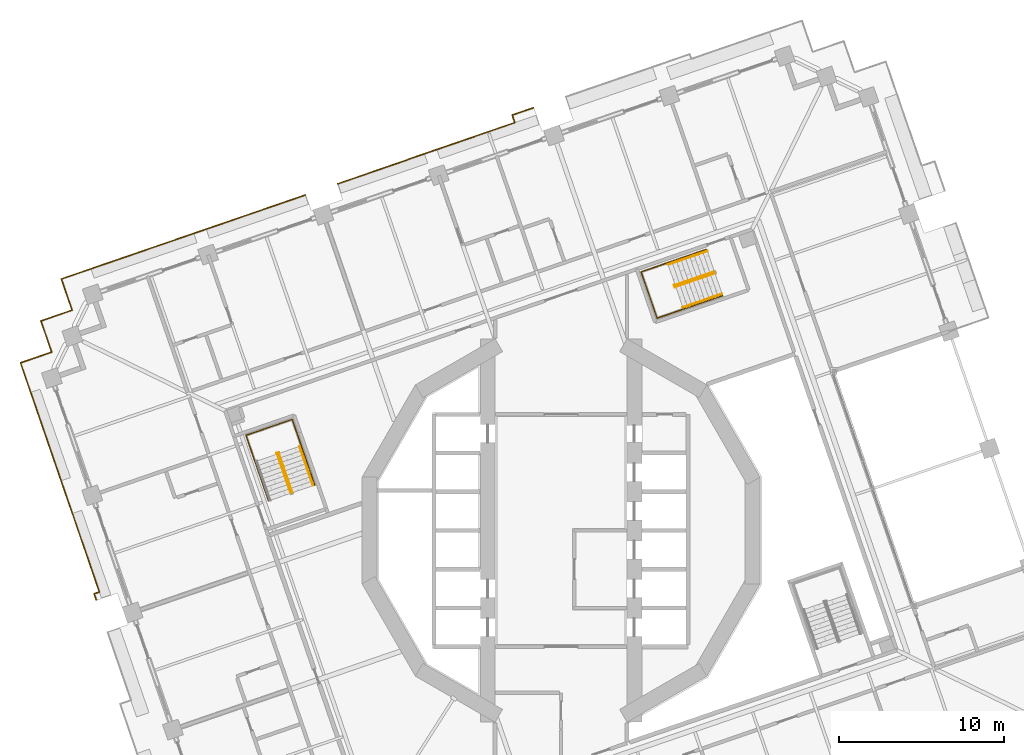
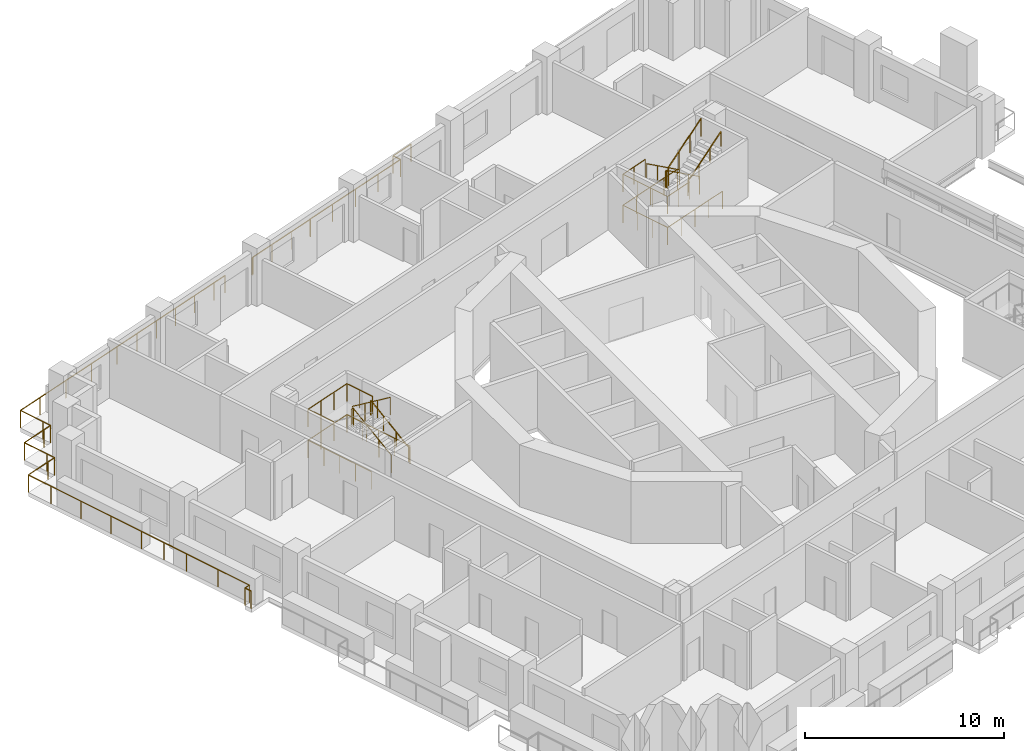
# One storey, part 20 of 22: 14 railings.
"""IFC4 building model written with IfcOpenShell, lengths in metres."""

from ifc_helpers import new_model, si_unit, direction, frame, origin, origin_2d, place, context, subcontext, project, spatial, circle, extrude, material, type_object, element, save


model = new_model("IFC4")

# Units and contexts
model_context = context("Model", 3, precision=1e-05, world=origin(), true_north=direction((0.0, 1.0)))
body_context = subcontext(model_context, "Body", "Model", "MODEL_VIEW")
ifc_project = project(units=[si_unit("LENGTHUNIT", "METRE"), si_unit("AREAUNIT", "SQUARE_METRE"), si_unit("VOLUMEUNIT", "CUBIC_METRE"), si_unit("PLANEANGLEUNIT", "RADIAN"), si_unit("MASSUNIT", "GRAM", prefix="KILO")], contexts=[model_context])

# Site, building, storey
site_placement = place(None, origin())
site = spatial("IfcSite", under=ifc_project, at=site_placement, CompositionType="ELEMENT")
building_placement = place(site_placement, origin())
building = spatial("IfcBuilding", under=site, at=building_placement, Name="Cantera Rosa Tower", CompositionType="ELEMENT")
storey_placement = place(building_placement, frame((0.0, 0.0, 115.5)))
storey = spatial("IfcBuildingStorey", under=building, at=storey_placement, Name="L23", CompositionType="ELEMENT", Elevation=115.5)

# Railings
ifc_material_1 = material(Name="Stainless steel and laminated glass", Category="steel")
railing_type_1 = type_object("IfcRailingType", Name="GUARD 1100", PredefinedType="BALUSTRADE", material=ifc_material_1)
railing_1_placement = place(storey_placement, frame((-29.6689453125, 13.369140625, 0.0)))
element("IfcRailing", 1, at=railing_1_placement, inside=storey, type_object=railing_type_1, Name="GUARD L23-5", PredefinedType="BALUSTRADE", context=body_context, shape_type="SweptSolid", body=[
    extrude(circle(Radius=0.030029296875, at=origin_2d()), frame((0.0, 0.0, 1.070068359375), z_axis=(-0.32573481536, 0.945461173218, 0.0), x_axis=(-0.945461173218, -0.32573481536, 0.0)), (0.0, 0.0, 1.0), 0.5),
    extrude(circle(Radius=0.030029296875, at=origin_2d()), frame((-0.162841796875, 0.47265625, 1.070068359375), z_axis=(-0.325489086777, 0.945545797087, 0.0), x_axis=(-0.945545797087, -0.325489086777, 0.0)), (0.0, 0.0, 1.0), 1.500244140625),
    extrude(circle(Radius=0.030029296875, at=origin_2d()), frame((-0.651123046875, 1.89111328125, 1.070068359375), z_axis=(0.945528551438, 0.325539181077, 0.0), x_axis=(-0.325539181077, 0.945528551438, 0.0)), (0.0, 0.0, 1.0), 1.5),
    extrude(circle(Radius=0.030029296875, at=origin_2d()), frame((0.76708984375, 2.37939453125, 1.070068359375), z_axis=(0.945517123015, 0.325572373037, 0.0), x_axis=(-0.325572373037, 0.945517123015, 0.0)), (0.0, 0.0, 1.0), 5.900146484375),
    extrude(circle(Radius=0.030029296875, at=origin_2d()), frame((6.345703125, 4.30029296875, 1.070068359375), z_axis=(0.945528551438, 0.325539181077, 0.0), x_axis=(-0.325539181077, 0.945528551438, 0.0)), (0.0, 0.0, 1.0), 2.999755859375),
    extrude(circle(Radius=0.030029296875, at=origin_2d()), frame((9.18212890625, 5.27685546875, 1.070068359375), z_axis=(0.945513227049, 0.325583687361, 0.0), x_axis=(-0.325583687361, 0.945513227049, 0.0)), (0.0, 0.0, 1.0), 4.400146484375),
    extrude(circle(Radius=0.030029296875, at=origin_2d()), frame((13.342529296875, 6.70947265625, 1.070068359375), z_axis=(0.945522007901, 0.325558186158, 0.0), x_axis=(-0.325558186158, 0.945522007901, 0.0)), (0.0, 0.0, 1.0), 0.869873046875),
    extrude(circle(Radius=0.02490234375, at=origin_2d()), origin(), (0.0, 0.0, 1.0), 1.0400390625),
    extrude(circle(Radius=0.02490234375, at=origin_2d()), frame((-0.162841796875, 0.47265625, 0.0)), (0.0, 0.0, 1.0), 1.0400390625),
    extrude(circle(Radius=0.02490234375, at=origin_2d()), frame((-0.651123046875, 1.89111328125, 0.0)), (0.0, 0.0, 1.0), 1.0400390625),
    extrude(circle(Radius=0.02490234375, at=origin_2d()), frame((0.76708984375, 2.37939453125, 0.0)), (0.0, 0.0, 1.0), 1.0400390625),
    extrude(circle(Radius=0.02490234375, at=origin_2d()), frame((2.626708984375, 3.019775390625, 0.0)), (0.0, 0.0, 1.0), 1.0400390625),
    extrude(circle(Radius=0.02490234375, at=origin_2d()), frame((4.486083984375, 3.659912109375, 0.0)), (0.0, 0.0, 1.0), 1.0400390625),
    extrude(circle(Radius=0.02490234375, at=origin_2d()), frame((6.345703125, 4.30029296875, 0.0)), (0.0, 0.0, 1.0), 1.0400390625),
    extrude(circle(Radius=0.02490234375, at=origin_2d()), frame((7.763916015625, 4.78857421875, 0.0)), (0.0, 0.0, 1.0), 1.0400390625),
    extrude(circle(Radius=0.02490234375, at=origin_2d()), frame((9.18212890625, 5.27685546875, 0.0)), (0.0, 0.0, 1.0), 1.0400390625),
    extrude(circle(Radius=0.02490234375, at=origin_2d()), frame((10.56884765625, 5.75439453125, 0.0)), (0.0, 0.0, 1.0), 1.0400390625),
    extrude(circle(Radius=0.02490234375, at=origin_2d()), frame((11.955810546875, 6.23193359375, 0.0)), (0.0, 0.0, 1.0), 1.0400390625),
    extrude(circle(Radius=0.02490234375, at=origin_2d()), frame((13.342529296875, 6.70947265625, 0.0)), (0.0, 0.0, 1.0), 1.0400390625),
    extrude(circle(Radius=0.02490234375, at=origin_2d()), frame((14.1650390625, 6.99267578125, 0.0)), (0.0, 0.0, 1.0), 1.0400390625),
])
railing_2_placement = place(storey_placement, frame((-28.19873046875, -4.220458984375, 0.0)))
element("IfcRailing", 2, at=railing_2_placement, inside=storey, type_object=railing_type_1, Name="GUARD L23-6", PredefinedType="BALUSTRADE", context=body_context, shape_type="SweptSolid", body=[
    extrude(circle(Radius=0.030029296875, at=origin_2d()), frame((0.0, 0.0, 1.070068359375), z_axis=(-0.325583372222, 0.945513335566, 0.0), x_axis=(-0.945513335566, -0.325583372222, 0.0)), (0.0, 0.0, 1.0), 0.406494140625),
    extrude(circle(Radius=0.030029296875, at=origin_2d()), frame((-0.13232421875, 0.38427734375, 1.070068359375), z_axis=(0.945442357657, 0.325789423322, 0.0), x_axis=(-0.325789423322, 0.945442357657, 0.0)), (0.0, 0.0, 1.0), 0.33642578125),
    extrude(circle(Radius=0.030029296875, at=origin_2d()), frame((0.185791015625, 0.493896484375, 1.070068359375), z_axis=(-0.325578798078, 0.94551491064, 0.0), x_axis=(-0.94551491064, -0.325578798078, 0.0)), (0.0, 0.0, 1.0), 4.18359375),
    extrude(circle(Radius=0.030029296875, at=origin_2d()), frame((-1.17626953125, 4.449462890625, 1.070068359375), z_axis=(-0.325539181077, 0.945528551438, 0.0), x_axis=(-0.945528551438, -0.325539181077, 0.0)), (0.0, 0.0, 1.0), 2.999755859375),
    extrude(circle(Radius=0.030029296875, at=origin_2d()), frame((-2.15283203125, 7.285888671875, 1.070068359375), z_axis=(-0.325568215952, 0.945518554425, 0.0), x_axis=(-0.945518554425, -0.325568215952, 0.0)), (0.0, 0.0, 1.0), 6.02001953125),
    extrude(circle(Radius=0.030029296875, at=origin_2d()), frame((-4.11279296875, 12.97802734375, 1.070068359375), z_axis=(-0.325539181077, 0.945528551438, 0.0), x_axis=(-0.945528551438, -0.325539181077, 0.0)), (0.0, 0.0, 1.0), 1.5),
    extrude(circle(Radius=0.030029296875, at=origin_2d()), frame((-4.60107421875, 14.396240234375, 1.070068359375), z_axis=(0.945528551438, 0.325539181077, 0.0), x_axis=(-0.325539181077, 0.945528551438, 0.0)), (0.0, 0.0, 1.0), 1.5),
    extrude(circle(Radius=0.030029296875, at=origin_2d()), frame((-3.182861328125, 14.884521484375, 1.070068359375), z_axis=(0.945461173218, 0.32573481536, 0.0), x_axis=(-0.32573481536, 0.945461173218, 0.0)), (0.0, 0.0, 1.0), 0.5),
    extrude(circle(Radius=0.030029296875, at=origin_2d()), frame((-2.710205078125, 15.04736328125, 1.070068359375), z_axis=(-0.325147989177, 0.945663145699, 0.0), x_axis=(-0.945663145699, -0.325147989177, 0.0)), (0.0, 0.0, 1.0), 0.5),
    extrude(circle(Radius=0.030029296875, at=origin_2d()), frame((-2.872802734375, 15.520263671875, 1.070068359375), z_axis=(-0.325684689469, 0.945478441343, 0.0), x_axis=(-0.945478441343, -0.325684689469, 0.0)), (0.0, 0.0, 1.0), 1.5),
    extrude(circle(Radius=0.030029296875, at=origin_2d()), frame((-3.361328125, 16.9384765625, 1.070068359375), z_axis=(0.945545797087, 0.325489086777, 0.0), x_axis=(-0.325489086777, 0.945545797087, 0.0)), (0.0, 0.0, 1.0), 1.500244140625),
    extrude(circle(Radius=0.030029296875, at=origin_2d()), frame((-1.94287109375, 17.4267578125, 1.070068359375), z_axis=(0.945461173218, 0.32573481536, 0.0), x_axis=(-0.32573481536, 0.945461173218, 0.0)), (0.0, 0.0, 1.0), 0.5),
    extrude(circle(Radius=0.02490234375, at=origin_2d()), origin(), (0.0, 0.0, 1.0), 1.0400390625),
    extrude(circle(Radius=0.02490234375, at=origin_2d()), frame((-0.13232421875, 0.38427734375, 0.0)), (0.0, 0.0, 1.0), 1.0400390625),
    extrude(circle(Radius=0.02490234375, at=origin_2d()), frame((0.185791015625, 0.493896484375, 0.0)), (0.0, 0.0, 1.0), 1.0400390625),
    extrude(circle(Radius=0.02490234375, at=origin_2d()), frame((-0.4951171875, 2.4716796875, 0.0)), (0.0, 0.0, 1.0), 1.0400390625),
    extrude(circle(Radius=0.02490234375, at=origin_2d()), frame((-1.17626953125, 4.449462890625, 0.0)), (0.0, 0.0, 1.0), 1.0400390625),
    extrude(circle(Radius=0.02490234375, at=origin_2d()), frame((-1.66455078125, 5.86767578125, 0.0)), (0.0, 0.0, 1.0), 1.0400390625),
    extrude(circle(Radius=0.02490234375, at=origin_2d()), frame((-2.15283203125, 7.285888671875, 0.0)), (0.0, 0.0, 1.0), 1.0400390625),
    extrude(circle(Radius=0.02490234375, at=origin_2d()), frame((-2.80615234375, 9.183349609375, 0.0)), (0.0, 0.0, 1.0), 1.0400390625),
    extrude(circle(Radius=0.02490234375, at=origin_2d()), frame((-3.45947265625, 11.08056640625, 0.0)), (0.0, 0.0, 1.0), 1.0400390625),
    extrude(circle(Radius=0.02490234375, at=origin_2d()), frame((-4.11279296875, 12.97802734375, 0.0)), (0.0, 0.0, 1.0), 1.0400390625),
    extrude(circle(Radius=0.02490234375, at=origin_2d()), frame((-4.60107421875, 14.396240234375, 0.0)), (0.0, 0.0, 1.0), 1.0400390625),
    extrude(circle(Radius=0.02490234375, at=origin_2d()), frame((-3.182861328125, 14.884521484375, 0.0)), (0.0, 0.0, 1.0), 1.0400390625),
    extrude(circle(Radius=0.02490234375, at=origin_2d()), frame((-2.710205078125, 15.04736328125, 0.0)), (0.0, 0.0, 1.0), 1.0400390625),
    extrude(circle(Radius=0.02490234375, at=origin_2d()), frame((-2.872802734375, 15.520263671875, 0.0)), (0.0, 0.0, 1.0), 1.0400390625),
    extrude(circle(Radius=0.02490234375, at=origin_2d()), frame((-3.361328125, 16.9384765625, 0.0)), (0.0, 0.0, 1.0), 1.0400390625),
    extrude(circle(Radius=0.02490234375, at=origin_2d()), frame((-1.94287109375, 17.4267578125, 0.0)), (0.0, 0.0, 1.0), 1.0400390625),
    extrude(circle(Radius=0.02490234375, at=origin_2d()), frame((-1.47021484375, 17.589599609375, 0.0)), (0.0, 0.0, 1.0), 1.0400390625),
])
railing_3_placement = place(storey_placement, frame((-13.55615234375, 21.032470703125, 0.0)))
element("IfcRailing", 3, at=railing_3_placement, inside=storey, type_object=railing_type_1, Name="GUARD L23-7", PredefinedType="BALUSTRADE", context=body_context, shape_type="SweptSolid", body=[
    extrude(circle(Radius=0.030029296875, at=origin_2d()), frame((0.0, 0.0, 1.070068359375), z_axis=(0.946220044844, 0.323523765333, 0.0), x_axis=(-0.323523765333, 0.946220044844, 0.0)), (0.0, 0.0, 1.0), 0.070068359375),
    extrude(circle(Radius=0.030029296875, at=origin_2d()), frame((0.06640625, 0.022705078125, 1.070068359375), z_axis=(0.945513705783, 0.325582297087, 0.0), x_axis=(-0.325582297087, 0.945513705783, 0.0)), (0.0, 0.0, 1.0), 4.38525390625),
    extrude(circle(Radius=0.030029296875, at=origin_2d()), frame((4.212646484375, 1.450439453125, 1.070068359375), z_axis=(-0.331087713029, 0.943599982133, 0.0), x_axis=(-0.943599982133, -0.331087713029, 0.0)), (0.0, 0.0, 1.0), 0.0146484375),
    extrude(circle(Radius=0.030029296875, at=origin_2d()), frame((4.207763671875, 1.46435546875, 1.070068359375), z_axis=(0.945519949949, 0.32556416303, 0.0), x_axis=(-0.32556416303, 0.945519949949, 0.0)), (0.0, 0.0, 1.0), 6.91552734375),
    extrude(circle(Radius=0.030029296875, at=origin_2d()), frame((10.74658203125, 3.7158203125, 1.070068359375), z_axis=(-0.325586807373, 0.94551215268, 0.0), x_axis=(-0.94551215268, -0.325586807373, 0.0)), (0.0, 0.0, 1.0), 0.484375),
    extrude(circle(Radius=0.030029296875, at=origin_2d()), frame((10.5888671875, 4.173828125, 1.070068359375), z_axis=(0.94551689242, 0.325573042723, 0.0), x_axis=(-0.325573042723, 0.94551689242, 0.0)), (0.0, 0.0, 1.0), 1.369384765625),
    extrude(circle(Radius=0.02490234375, at=origin_2d()), origin(), (0.0, 0.0, 1.0), 1.0400390625),
    extrude(circle(Radius=0.02490234375, at=origin_2d()), frame((0.06640625, 0.022705078125, 0.0)), (0.0, 0.0, 1.0), 1.0400390625),
    extrude(circle(Radius=0.02490234375, at=origin_2d()), frame((1.448486328125, 0.49853515625, 0.0)), (0.0, 0.0, 1.0), 1.0400390625),
    extrude(circle(Radius=0.02490234375, at=origin_2d()), frame((2.83056640625, 0.974609375, 0.0)), (0.0, 0.0, 1.0), 1.0400390625),
    extrude(circle(Radius=0.02490234375, at=origin_2d()), frame((4.212646484375, 1.450439453125, 0.0)), (0.0, 0.0, 1.0), 1.0400390625),
    extrude(circle(Radius=0.02490234375, at=origin_2d()), frame((4.207763671875, 1.46435546875, 0.0)), (0.0, 0.0, 1.0), 1.0400390625),
    extrude(circle(Radius=0.02490234375, at=origin_2d()), frame((5.842529296875, 2.02734375, 0.0)), (0.0, 0.0, 1.0), 1.0400390625),
    extrude(circle(Radius=0.02490234375, at=origin_2d()), frame((7.47705078125, 2.590087890625, 0.0)), (0.0, 0.0, 1.0), 1.0400390625),
    extrude(circle(Radius=0.02490234375, at=origin_2d()), frame((9.11181640625, 3.15283203125, 0.0)), (0.0, 0.0, 1.0), 1.0400390625),
    extrude(circle(Radius=0.02490234375, at=origin_2d()), frame((10.74658203125, 3.7158203125, 0.0)), (0.0, 0.0, 1.0), 1.0400390625),
    extrude(circle(Radius=0.02490234375, at=origin_2d()), frame((10.5888671875, 4.173828125, 0.0)), (0.0, 0.0, 1.0), 1.0400390625),
    extrude(circle(Radius=0.02490234375, at=origin_2d()), frame((11.883544921875, 4.61962890625, 0.0)), (0.0, 0.0, 1.0), 1.0400390625),
])
ifc_material_2 = material(Name="Steel S355J2 (EN 10025-2)", Category="steel")
railing_type_2 = type_object("IfcRailingType", Name="STAIR GUARD 1100", PredefinedType="GUARDRAIL", material=ifc_material_2)
railing_4_placement = place(storey_placement, frame((9.307861328125, 15.7021484375, 0.18994140625)))
element("IfcRailing", 4, at=railing_4_placement, inside=storey, type_object=railing_type_2, Name="L23 ST-21 stair guard 1", PredefinedType="GUARDRAIL", context=body_context, shape_type="SweptSolid", body=[
    extrude(circle(Radius=0.02392578125, at=origin_2d()), frame((0.0, 0.0, 1.076171875), z_axis=(-0.782404165978, -0.269432418223, 0.561471186323), x_axis=(0.325599548996, -0.94550776501, 0.0)), (0.0, 0.0, 1.0), 3.04541015625),
    extrude(circle(Radius=0.02392578125, at=origin_2d()), frame((-2.3828125, -0.820556640625, 2.7861328125), z_axis=(-0.989063265047, 0.147491890402, 0.0), x_axis=(-0.147491890402, -0.989063265047, 0.0)), (0.0, 0.0, 1.0), 0.056396484375),
    extrude(circle(Radius=0.02392578125, at=origin_2d()), frame((-2.4384765625, -0.812255859375, 2.7861328125), z_axis=(0.325990683319, -0.945372981626, 0.0), x_axis=(0.945372981626, 0.325990683319, 0.0)), (0.0, 0.0, 1.0), 0.14990234375),
    extrude(circle(Radius=0.02099609375, at=origin_2d()), origin(), (0.0, 0.0, 1.0), 1.052001953125),
    extrude(circle(Radius=0.02099609375, at=origin_2d()), frame((-0.794189453125, -0.2734375, 0.570068359375)), (0.0, 0.0, 1.0), 1.052001953125),
    extrude(circle(Radius=0.02099609375, at=origin_2d()), frame((-1.588623046875, -0.547119140625, 1.139892578125)), (0.0, 0.0, 1.0), 1.052001953125),
    extrude(circle(Radius=0.02099609375, at=origin_2d()), frame((-2.3828125, -0.820556640625, 1.7099609375)), (0.0, 0.0, 1.0), 1.052001953125),
    extrude(circle(Radius=0.02099609375, at=origin_2d()), frame((-2.4384765625, -0.812255859375, 1.7099609375)), (0.0, 0.0, 1.0), 1.052001953125),
    extrude(circle(Radius=0.02099609375, at=origin_2d()), frame((-2.3896484375, -0.953857421875, 1.7099609375)), (0.0, 0.0, 1.0), 1.052001953125),
])
railing_5_placement = place(storey_placement, frame((6.95703125, 14.7890625, 2.090087890625)))
element("IfcRailing", 5, at=railing_5_placement, inside=storey, type_object=railing_type_2, Name="L23 ST-21 stair guard 2", PredefinedType="GUARDRAIL", context=body_context, shape_type="SweptSolid", body=[
    extrude(circle(Radius=0.02392578125, at=origin_2d()), frame((0.0, 0.0, 1.076171875), z_axis=(0.782389970342, 0.269374966733, 0.561518531845), x_axis=(-0.325542759796, 0.945527319301, 0.0)), (0.0, 0.0, 1.0), 3.045166015625),
    extrude(circle(Radius=0.02099609375, at=origin_2d()), origin(), (0.0, 0.0, 1.0), 1.052001953125),
    extrude(circle(Radius=0.02099609375, at=origin_2d()), frame((0.794189453125, 0.2734375, 0.570068359375)), (0.0, 0.0, 1.0), 1.052001953125),
    extrude(circle(Radius=0.02099609375, at=origin_2d()), frame((1.58837890625, 0.546875, 1.139892578125)), (0.0, 0.0, 1.0), 1.052001953125),
    extrude(circle(Radius=0.02099609375, at=origin_2d()), frame((2.382568359375, 0.8203125, 1.7099609375)), (0.0, 0.0, 1.0), 1.052001953125),
])
railing_6_placement = place(storey_placement, frame((8.828857421875, 17.055908203125, 0.0)))
element("IfcRailing", 6, at=railing_6_placement, inside=storey, type_object=railing_type_2, Name="L23 ST-21 stair guard 4", PredefinedType="GUARDRAIL", context=body_context, shape_type="SweptSolid", body=[
    extrude(circle(Radius=0.02392578125, at=origin_2d()), frame((0.0, 0.0, 1.076171875), z_axis=(-0.945519978022, -0.325564081496, 0.0), x_axis=(0.325564081496, -0.945519978022, 0.0)), (0.0, 0.0, 1.0), 4.197998046875),
    extrude(circle(Radius=0.02392578125, at=origin_2d()), frame((-3.96923828125, -1.36669921875, 1.076171875), z_axis=(0.325608117645, -0.945504814226, 0.0), x_axis=(0.945504814226, 0.325608117645, 0.0)), (0.0, 0.0, 1.0), 2.969970703125),
    extrude(circle(Radius=0.02392578125, at=origin_2d()), frame((-3.002197265625, -4.1748046875, 1.076171875), z_axis=(0.945519978022, 0.325564081496, 0.0), x_axis=(-0.325564081496, 0.945519978022, 0.0)), (0.0, 0.0, 1.0), 4.197998046875),
    extrude(circle(Radius=0.02099609375, at=origin_2d()), origin(), (0.0, 0.0, 1.0), 1.052001953125),
    extrude(circle(Radius=0.02099609375, at=origin_2d()), frame((-0.9921875, -0.341796875, 0.0)), (0.0, 0.0, 1.0), 1.052001953125),
    extrude(circle(Radius=0.02099609375, at=origin_2d()), frame((-1.984619140625, -0.683349609375, 0.0)), (0.0, 0.0, 1.0), 1.052001953125),
    extrude(circle(Radius=0.02099609375, at=origin_2d()), frame((-2.97705078125, -1.02490234375, 0.0)), (0.0, 0.0, 1.0), 1.052001953125),
    extrude(circle(Radius=0.02099609375, at=origin_2d()), frame((-3.96923828125, -1.36669921875, 0.0)), (0.0, 0.0, 1.0), 1.052001953125),
    extrude(circle(Radius=0.02099609375, at=origin_2d()), frame((-3.64697265625, -2.302734375, 0.0)), (0.0, 0.0, 1.0), 1.052001953125),
    extrude(circle(Radius=0.02099609375, at=origin_2d()), frame((-3.324462890625, -3.23876953125, 0.0)), (0.0, 0.0, 1.0), 1.052001953125),
    extrude(circle(Radius=0.02099609375, at=origin_2d()), frame((-3.002197265625, -4.1748046875, 0.0)), (0.0, 0.0, 1.0), 1.052001953125),
    extrude(circle(Radius=0.02099609375, at=origin_2d()), frame((-2.009765625, -3.8330078125, 0.0)), (0.0, 0.0, 1.0), 1.052001953125),
    extrude(circle(Radius=0.02099609375, at=origin_2d()), frame((-1.017578125, -3.491455078125, 0.0)), (0.0, 0.0, 1.0), 1.052001953125),
    extrude(circle(Radius=0.02099609375, at=origin_2d()), frame((-0.025390625, -3.14990234375, 0.0)), (0.0, 0.0, 1.0), 1.052001953125),
    extrude(circle(Radius=0.02099609375, at=origin_2d()), frame((0.967041015625, -2.80810546875, 0.0)), (0.0, 0.0, 1.0), 1.052001953125),
])
railing_7_placement = place(storey_placement, frame((6.468994140625, 16.243408203125, 1.89990234375)))
element("IfcRailing", 7, at=railing_7_placement, inside=storey, type_object=railing_type_2, Name="L23 ST-21 stair guard 5", PredefinedType="GUARDRAIL", context=body_context, shape_type="SweptSolid", body=[
    extrude(circle(Radius=0.02392578125, at=origin_2d()), frame((0.0, 0.0, 1.076171875), z_axis=(-0.94551008141, -0.32559282233, 0.0), x_axis=(0.32559282233, -0.94551008141, 0.0)), (0.0, 0.0, 1.0), 1.7021484375),
    extrude(circle(Radius=0.02392578125, at=origin_2d()), frame((-1.609375, -0.55419921875, 1.076171875), z_axis=(0.325608117645, -0.945504814226, 0.0), x_axis=(0.945504814226, 0.325608117645, 0.0)), (0.0, 0.0, 1.0), 2.969970703125),
    extrude(circle(Radius=0.02392578125, at=origin_2d()), frame((-0.642333984375, -3.3623046875, 1.076171875), z_axis=(0.945539033546, 0.325508734201, 0.0), x_axis=(-0.325508734201, 0.945539033546, 0.0)), (0.0, 0.0, 1.0), 1.701904296875),
    extrude(circle(Radius=0.02099609375, at=origin_2d()), origin(), (0.0, 0.0, 1.0), 1.052001953125),
    extrude(circle(Radius=0.02099609375, at=origin_2d()), frame((-0.8046875, -0.277099609375, 0.0)), (0.0, 0.0, 1.0), 1.052001953125),
    extrude(circle(Radius=0.02099609375, at=origin_2d()), frame((-1.609375, -0.55419921875, 0.0)), (0.0, 0.0, 1.0), 1.052001953125),
    extrude(circle(Radius=0.02099609375, at=origin_2d()), frame((-1.287109375, -1.490234375, 0.0)), (0.0, 0.0, 1.0), 1.052001953125),
    extrude(circle(Radius=0.02099609375, at=origin_2d()), frame((-0.964599609375, -2.42626953125, 0.0)), (0.0, 0.0, 1.0), 1.052001953125),
    extrude(circle(Radius=0.02099609375, at=origin_2d()), frame((-0.642333984375, -3.3623046875, 0.0)), (0.0, 0.0, 1.0), 1.052001953125),
    extrude(circle(Radius=0.02099609375, at=origin_2d()), frame((0.162109375, -3.08544921875, 0.0)), (0.0, 0.0, 1.0), 1.052001953125),
    extrude(circle(Radius=0.02099609375, at=origin_2d()), frame((0.966796875, -2.808349609375, 0.0)), (0.0, 0.0, 1.0), 1.052001953125),
])
railing_8_placement = place(storey_placement, frame((-16.2978515625, 2.292236328125, 0.18994140625)))
element("IfcRailing", 8, at=railing_8_placement, inside=storey, type_object=railing_type_2, Name="L23 ST-22 stair guard 1", PredefinedType="GUARDRAIL", context=body_context, shape_type="SweptSolid", body=[
    extrude(circle(Radius=0.02392578125, at=origin_2d()), frame((0.0, 0.0, 1.076171875), z_axis=(-0.269432418223, 0.782404165978, 0.561471186323), x_axis=(-0.94550776501, -0.325599548996, 0.0)), (0.0, 0.0, 1.0), 3.04541015625),
    extrude(circle(Radius=0.02392578125, at=origin_2d()), frame((-0.820556640625, 2.3828125, 2.7861328125), z_axis=(0.147491890402, 0.989063265047, 0.0), x_axis=(-0.989063265047, 0.147491890402, 0.0)), (0.0, 0.0, 1.0), 0.056396484375),
    extrude(circle(Radius=0.02392578125, at=origin_2d()), frame((-0.812255859375, 2.4384765625, 2.7861328125), z_axis=(-0.945372981626, -0.325990683319, 0.0), x_axis=(0.325990683319, -0.945372981626, 0.0)), (0.0, 0.0, 1.0), 0.14990234375),
    extrude(circle(Radius=0.02099609375, at=origin_2d()), origin(), (0.0, 0.0, 1.0), 1.052001953125),
    extrude(circle(Radius=0.02099609375, at=origin_2d()), frame((-0.2734375, 0.794189453125, 0.570068359375)), (0.0, 0.0, 1.0), 1.052001953125),
    extrude(circle(Radius=0.02099609375, at=origin_2d()), frame((-0.547119140625, 1.588623046875, 1.139892578125)), (0.0, 0.0, 1.0), 1.052001953125),
    extrude(circle(Radius=0.02099609375, at=origin_2d()), frame((-0.820556640625, 2.3828125, 1.7099609375)), (0.0, 0.0, 1.0), 1.052001953125),
    extrude(circle(Radius=0.02099609375, at=origin_2d()), frame((-0.812255859375, 2.4384765625, 1.7099609375)), (0.0, 0.0, 1.0), 1.052001953125),
    extrude(circle(Radius=0.02099609375, at=origin_2d()), frame((-0.953857421875, 2.3896484375, 1.7099609375)), (0.0, 0.0, 1.0), 1.052001953125),
])
railing_9_placement = place(storey_placement, frame((-17.2109375, 4.64306640625, 2.090087890625)))
element("IfcRailing", 9, at=railing_9_placement, inside=storey, type_object=railing_type_2, Name="L23 ST-22 stair guard 2", PredefinedType="GUARDRAIL", context=body_context, shape_type="SweptSolid", body=[
    extrude(circle(Radius=0.02392578125, at=origin_2d()), frame((0.0, 0.0, 1.076171875), z_axis=(0.269358070891, -0.782421063063, 0.561483312059), x_axis=(0.945537585866, 0.325512939397, 0.0)), (0.0, 0.0, 1.0), 3.04541015625),
    extrude(circle(Radius=0.02099609375, at=origin_2d()), origin(), (0.0, 0.0, 1.0), 1.052001953125),
    extrude(circle(Radius=0.02099609375, at=origin_2d()), frame((0.2734375, -0.794189453125, 0.570068359375)), (0.0, 0.0, 1.0), 1.052001953125),
    extrude(circle(Radius=0.02099609375, at=origin_2d()), frame((0.546875, -1.588623046875, 1.139892578125)), (0.0, 0.0, 1.0), 1.052001953125),
    extrude(circle(Radius=0.02099609375, at=origin_2d()), frame((0.8203125, -2.3828125, 1.7099609375)), (0.0, 0.0, 1.0), 1.052001953125),
])
railing_10_placement = place(storey_placement, frame((-14.944091796875, 2.77099609375, 0.0)))
element("IfcRailing", 10, at=railing_10_placement, inside=storey, type_object=railing_type_2, Name="L23 ST-22 stair guard 4", PredefinedType="GUARDRAIL", context=body_context, shape_type="SweptSolid", body=[
    extrude(circle(Radius=0.02392578125, at=origin_2d()), frame((0.0, 0.0, 1.076171875), z_axis=(-0.325546180042, 0.945526141712, 0.0), x_axis=(-0.945526141712, -0.325546180042, 0.0)), (0.0, 0.0, 1.0), 4.1982421875),
    extrude(circle(Radius=0.02392578125, at=origin_2d()), frame((-1.36669921875, 3.969482421875, 1.076171875), z_axis=(-0.945504814226, -0.325608117645, 0.0), x_axis=(0.325608117645, -0.945504814226, 0.0)), (0.0, 0.0, 1.0), 2.969970703125),
    extrude(circle(Radius=0.02392578125, at=origin_2d()), frame((-4.1748046875, 3.00244140625, 1.076171875), z_axis=(0.325564081496, -0.945519978022, 0.0), x_axis=(0.945519978022, 0.325564081496, 0.0)), (0.0, 0.0, 1.0), 4.197998046875),
    extrude(circle(Radius=0.02099609375, at=origin_2d()), origin(), (0.0, 0.0, 1.0), 1.052001953125),
    extrude(circle(Radius=0.02099609375, at=origin_2d()), frame((-0.341796875, 0.992431640625, 0.0)), (0.0, 0.0, 1.0), 1.052001953125),
    extrude(circle(Radius=0.02099609375, at=origin_2d()), frame((-0.683349609375, 1.98486328125, 0.0)), (0.0, 0.0, 1.0), 1.052001953125),
    extrude(circle(Radius=0.02099609375, at=origin_2d()), frame((-1.02490234375, 2.97705078125, 0.0)), (0.0, 0.0, 1.0), 1.052001953125),
    extrude(circle(Radius=0.02099609375, at=origin_2d()), frame((-1.36669921875, 3.969482421875, 0.0)), (0.0, 0.0, 1.0), 1.052001953125),
    extrude(circle(Radius=0.02099609375, at=origin_2d()), frame((-2.302734375, 3.647216796875, 0.0)), (0.0, 0.0, 1.0), 1.052001953125),
    extrude(circle(Radius=0.02099609375, at=origin_2d()), frame((-3.23876953125, 3.32470703125, 0.0)), (0.0, 0.0, 1.0), 1.052001953125),
    extrude(circle(Radius=0.02099609375, at=origin_2d()), frame((-4.1748046875, 3.00244140625, 0.0)), (0.0, 0.0, 1.0), 1.052001953125),
    extrude(circle(Radius=0.02099609375, at=origin_2d()), frame((-3.8330078125, 2.01025390625, 0.0)), (0.0, 0.0, 1.0), 1.052001953125),
    extrude(circle(Radius=0.02099609375, at=origin_2d()), frame((-3.491455078125, 1.017822265625, 0.0)), (0.0, 0.0, 1.0), 1.052001953125),
    extrude(circle(Radius=0.02099609375, at=origin_2d()), frame((-3.14990234375, 0.025390625, 0.0)), (0.0, 0.0, 1.0), 1.052001953125),
    extrude(circle(Radius=0.02099609375, at=origin_2d()), frame((-2.80810546875, -0.966796875, 0.0)), (0.0, 0.0, 1.0), 1.052001953125),
])
railing_11_placement = place(storey_placement, frame((-15.756591796875, 5.131103515625, 1.89990234375)))
element("IfcRailing", 11, at=railing_11_placement, inside=storey, type_object=railing_type_2, Name="L23 ST-22 stair guard 5", PredefinedType="GUARDRAIL", context=body_context, shape_type="SweptSolid", body=[
    extrude(circle(Radius=0.02392578125, at=origin_2d()), frame((0.0, 0.0, 1.076171875), z_axis=(-0.32559282233, 0.94551008141, 0.0), x_axis=(-0.94551008141, -0.32559282233, 0.0)), (0.0, 0.0, 1.0), 1.7021484375),
    extrude(circle(Radius=0.02392578125, at=origin_2d()), frame((-0.55419921875, 1.609375, 1.076171875), z_axis=(-0.945504814226, -0.325608117645, 0.0), x_axis=(0.325608117645, -0.945504814226, 0.0)), (0.0, 0.0, 1.0), 2.969970703125),
    extrude(circle(Radius=0.02392578125, at=origin_2d()), frame((-3.3623046875, 0.642333984375, 1.076171875), z_axis=(0.325464585813, -0.945554230799, 0.0), x_axis=(0.945554230799, 0.325464585813, 0.0)), (0.0, 0.0, 1.0), 1.7021484375),
    extrude(circle(Radius=0.02099609375, at=origin_2d()), origin(), (0.0, 0.0, 1.0), 1.052001953125),
    extrude(circle(Radius=0.02099609375, at=origin_2d()), frame((-0.277099609375, 0.8046875, 0.0)), (0.0, 0.0, 1.0), 1.052001953125),
    extrude(circle(Radius=0.02099609375, at=origin_2d()), frame((-0.55419921875, 1.609375, 0.0)), (0.0, 0.0, 1.0), 1.052001953125),
    extrude(circle(Radius=0.02099609375, at=origin_2d()), frame((-1.490234375, 1.287109375, 0.0)), (0.0, 0.0, 1.0), 1.052001953125),
    extrude(circle(Radius=0.02099609375, at=origin_2d()), frame((-2.42626953125, 0.964599609375, 0.0)), (0.0, 0.0, 1.0), 1.052001953125),
    extrude(circle(Radius=0.02099609375, at=origin_2d()), frame((-3.3623046875, 0.642333984375, 0.0)), (0.0, 0.0, 1.0), 1.052001953125),
    extrude(circle(Radius=0.02099609375, at=origin_2d()), frame((-3.08544921875, -0.162353515625, 0.0)), (0.0, 0.0, 1.0), 1.052001953125),
    extrude(circle(Radius=0.02099609375, at=origin_2d()), frame((-2.808349609375, -0.967041015625, 0.0)), (0.0, 0.0, 1.0), 1.052001953125),
])
ifc_material_3 = material(Name="Steel S355J2 (EN 10025-2)", Category="steel")
railing_type_3 = type_object("IfcRailingType", Name="STAIR HANDRAIL 900", PredefinedType="HANDRAIL", material=ifc_material_3)
railing_12_placement = place(storey_placement, frame((8.8759765625, 16.955810546875, 0.18994140625)))
element("IfcRailing", 12, at=railing_12_placement, inside=storey, type_object=railing_type_3, Name="L23 ST-21 stair handrail 1", PredefinedType="HANDRAIL", context=body_context, shape_type="SweptSolid", body=[
    extrude(circle(Radius=0.02392578125, at=origin_2d()), frame((0.0, 0.0, 0.8759765625), z_axis=(-0.782389970342, -0.269374966733, 0.561518531845), x_axis=(0.325542759796, -0.945527319301, 0.0)), (0.0, 0.0, 1.0), 3.045166015625),
    extrude(circle(Radius=0.02099609375, at=origin_2d()), origin(), (0.0, 0.0, 1.0), 0.851806640625),
    extrude(circle(Radius=0.02099609375, at=origin_2d()), frame((-0.794189453125, -0.2734375, 0.570068359375)), (0.0, 0.0, 1.0), 0.851806640625),
    extrude(circle(Radius=0.02099609375, at=origin_2d()), frame((-1.58837890625, -0.546875, 1.139892578125)), (0.0, 0.0, 1.0), 0.851806640625),
    extrude(circle(Radius=0.02099609375, at=origin_2d()), frame((-2.382568359375, -0.8203125, 1.7099609375)), (0.0, 0.0, 1.0), 0.851806640625),
])
railing_13_placement = place(storey_placement, frame((7.388671875, 13.53515625, 2.090087890625)))
element("IfcRailing", 13, at=railing_13_placement, inside=storey, type_object=railing_type_3, Name="L23 ST-21 stair handrail 2", PredefinedType="HANDRAIL", context=body_context, shape_type="SweptSolid", body=[
    extrude(circle(Radius=0.02392578125, at=origin_2d()), frame((0.0, 0.0, 0.8759765625), z_axis=(0.782404165978, 0.269432418223, 0.561471186323), x_axis=(-0.325599548996, 0.94550776501, 0.0)), (0.0, 0.0, 1.0), 3.04541015625),
    extrude(circle(Radius=0.02099609375, at=origin_2d()), origin(), (0.0, 0.0, 1.0), 0.851806640625),
    extrude(circle(Radius=0.02099609375, at=origin_2d()), frame((0.794189453125, 0.2734375, 0.570068359375)), (0.0, 0.0, 1.0), 0.851806640625),
    extrude(circle(Radius=0.02099609375, at=origin_2d()), frame((1.588623046875, 0.547119140625, 1.139892578125)), (0.0, 0.0, 1.0), 0.851806640625),
    extrude(circle(Radius=0.02099609375, at=origin_2d()), frame((2.3828125, 0.820556640625, 1.7099609375)), (0.0, 0.0, 1.0), 0.851806640625),
])
railing_14_placement = place(storey_placement, frame((-15.044189453125, 2.723876953125, 0.18994140625)))
element("IfcRailing", 14, at=railing_14_placement, inside=storey, type_object=railing_type_3, Name="L23 ST-22 stair handrail 1", PredefinedType="HANDRAIL", context=body_context, shape_type="SweptSolid", body=[
    extrude(circle(Radius=0.02392578125, at=origin_2d()), frame((0.0, 0.0, 0.8759765625), z_axis=(-0.269358070891, 0.782421063063, 0.561483312059), x_axis=(-0.945537585866, -0.325512939397, 0.0)), (0.0, 0.0, 1.0), 3.04541015625),
    extrude(circle(Radius=0.02099609375, at=origin_2d()), origin(), (0.0, 0.0, 1.0), 0.851806640625),
    extrude(circle(Radius=0.02099609375, at=origin_2d()), frame((-0.2734375, 0.794189453125, 0.570068359375)), (0.0, 0.0, 1.0), 0.851806640625),
    extrude(circle(Radius=0.02099609375, at=origin_2d()), frame((-0.546875, 1.588623046875, 1.139892578125)), (0.0, 0.0, 1.0), 0.851806640625),
    extrude(circle(Radius=0.02099609375, at=origin_2d()), frame((-0.8203125, 2.3828125, 1.7099609375)), (0.0, 0.0, 1.0), 0.851806640625),
])

save(model, "model.ifc")
